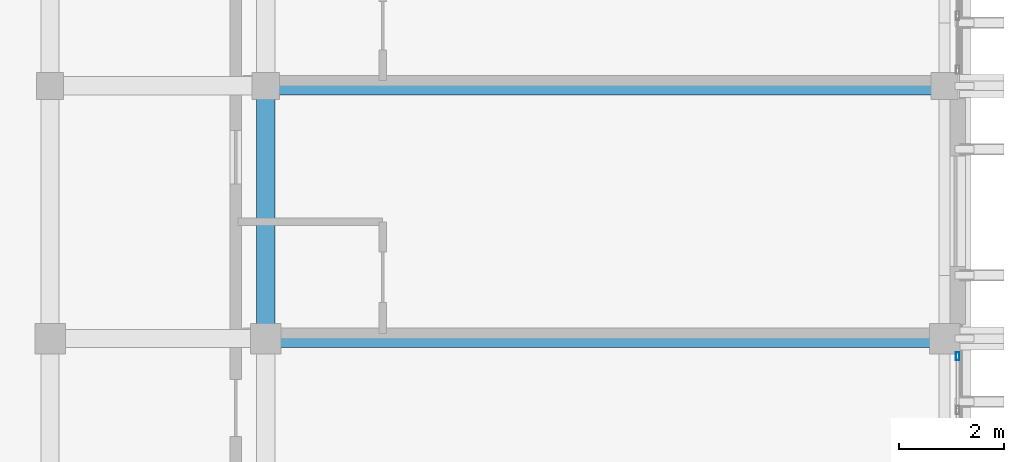
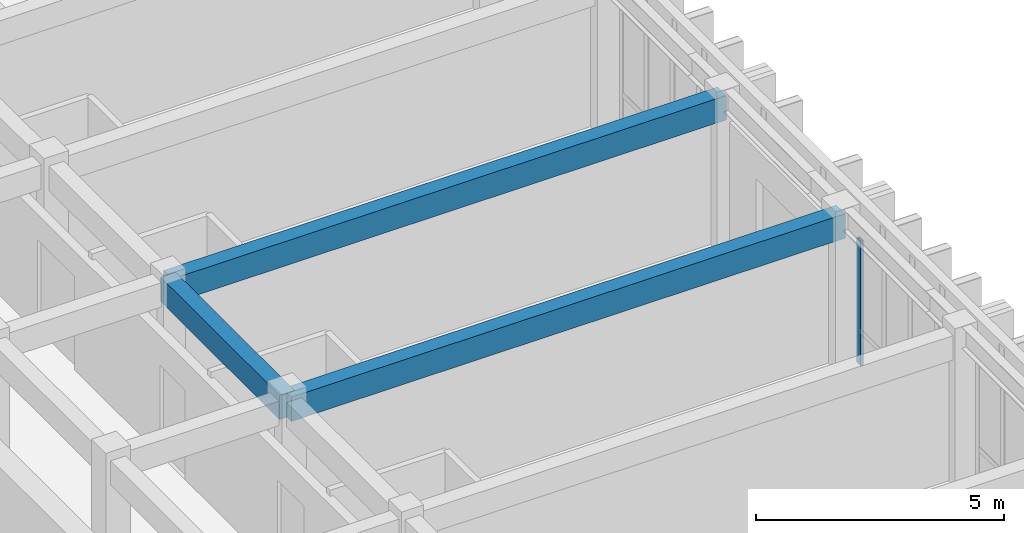
# One storey, part 25 of 49: 3 beams, 1 member, 1 element without a shape of its own.
"""IFC4 building model written with IfcOpenShell, lengths in metres."""

from ifc_helpers import new_model, si_unit, direction, frame, origin, origin_2d, place, context, subcontext, project, spatial, rectangle, hollow_rectangle, extrude, material, layer, layer_set, material_profile, profile_set, type_object, element, aggregate, save


model = new_model("IFC4")

# Units and contexts
model_context = context("Model", 3, precision=1e-05, world=origin(), true_north=direction((0.0, 1.0)))
body_context = subcontext(model_context, "Body", "Model", "MODEL_VIEW")
ifc_project = project(units=[si_unit("LENGTHUNIT", "METRE"), si_unit("AREAUNIT", "SQUARE_METRE"), si_unit("VOLUMEUNIT", "CUBIC_METRE"), si_unit("PLANEANGLEUNIT", "RADIAN"), si_unit("MASSUNIT", "GRAM", prefix="KILO")], contexts=[model_context])

# Site, building, storey
site_placement = place(None, origin())
site = spatial("IfcSite", under=ifc_project, at=site_placement, CompositionType="ELEMENT")
building_placement = place(site_placement, origin())
building = spatial("IfcBuilding", under=site, at=building_placement, Name="Nakhvara Creek Congress Hotel", CompositionType="ELEMENT")
storey_placement = place(building_placement, frame((0.0, 0.0, 46.5)))
storey = spatial("IfcBuildingStorey", under=building, at=storey_placement, Name="L11", CompositionType="ELEMENT", Elevation=46.5)

# Beams
ifc_material_1 = material(Name="Concrete C40/50", Category="concrete")
ifc_material_profile_1 = material_profile(ifc_material_1, rectangle(XDim=0.35009765625, YDim=0.60009765625, at=origin_2d()), Name="RC-BM 350x600", Category="LoadBearing")
ifc_profile_set_1 = profile_set([ifc_material_profile_1], Name="Concrete C40/50")
beam_type = type_object("IfcBeamType", Name="BM-RC-350X600", PredefinedType="BEAM", material=ifc_profile_set_1)
beam_1_placement = place(storey_placement, frame((166.449951171875, 105.60009765625, 3.3798828125), z_axis=(1.0, 0.0, 0.0), x_axis=(0.0, 1.0, 0.0)))
element("IfcBeam", 1, at=beam_1_placement, inside=storey, type_object=beam_type, Name="Beam B07-L11-2756", PredefinedType="BEAM", context=body_context, shape_type="SweptSolid", body=[
    extrude(rectangle(XDim=0.35009765625, YDim=0.60009765625, at=origin_2d()), origin(), (0.0, 0.0, 1.0), 12.900146484375),
])
beam_2_placement = place(storey_placement, frame((166.449951171875, 105.60009765625, 3.3798828125), z_axis=(0.0, 1.0, 0.0), x_axis=(-1.0, 0.0, 0.0)))
element("IfcBeam", 2, at=beam_2_placement, inside=storey, type_object=beam_type, Name="Beam B07-L11-2758", PredefinedType="BEAM", context=body_context, shape_type="SweptSolid", body=[
    extrude(rectangle(XDim=0.35009765625, YDim=0.60009765625, at=origin_2d()), origin(), (0.0, 0.0, 1.0), 4.7998046875),
])
beam_3_placement = place(storey_placement, frame((166.449951171875, 110.39990234375, 3.3798828125), z_axis=(1.0, 0.0, 0.0), x_axis=(0.0, 1.0, 0.0)))
element("IfcBeam", 3, at=beam_3_placement, inside=storey, type_object=beam_type, Name="Beam B07-L11-2779", PredefinedType="BEAM", context=body_context, shape_type="SweptSolid", body=[
    extrude(rectangle(XDim=0.35009765625, YDim=0.60009765625, at=origin_2d()), origin(), (0.0, 0.0, 1.0), 12.900146484375),
])

# Curtain wall, member
ifc_material_2 = material(Name="Bronze-anodised aluminium AW-6063-T6 and double-silver low-E glass", Category="aluminium")
ifc_layer = layer(ifc_material_2, 0.199951171875)
ifc_layer_set = layer_set([ifc_layer], Name="Bronze-anodised aluminium AW-6063-T6 and double-silver low-E glass")
curtain_wall_type = type_object("IfcCurtainWallType", Name="CW-HTL-UNIT", PredefinedType="USERDEFINED", material=ifc_layer_set)
curtain_wall_placement = place(storey_placement, origin())
curtain_wall = element("IfcCurtainWall", 4, at=curtain_wall_placement, inside=storey, type_object=curtain_wall_type, Name="Curtain Wall CW342", ObjectType="UNITISED", PredefinedType="USERDEFINED")
ifc_material_3 = material(Name="Bronze-anodised aluminium AW-6063-T6", Category="aluminium")
ifc_material_profile_2 = material_profile(ifc_material_3, hollow_rectangle(XDim=0.06494140625, YDim=0.159912109375, WallThickness=0.00390625, at=origin_2d()), Name="ALU-MULL 65x160x4", Category="LoadBearing")
ifc_profile_set_2 = profile_set([ifc_material_profile_2], Name="Bronze-anodised aluminium AW-6063-T6")
member_type = type_object("IfcMemberType", Name="CW-MULL-160", PredefinedType="MULLION", material=ifc_profile_set_2)
member_placement = place(storey_placement, frame((179.60009765625, 105.262451171875, 0.0), z_axis=(0.0, 0.0, 1.0), x_axis=(1.0, 0.0, 0.0)))
member = element("IfcMember", 5, at=member_placement, type_object=member_type, Name="CW342 mullion 1", PredefinedType="MULLION", context=body_context, shape_type="SweptSolid", body=[
    extrude(hollow_rectangle(XDim=0.06494140625, YDim=0.159912109375, WallThickness=0.00390625, at=origin_2d()), origin(), (0.0, 0.0, 1.0), 3.072021484375),
])
aggregate(curtain_wall, [member])

save(model, "model.ifc")
